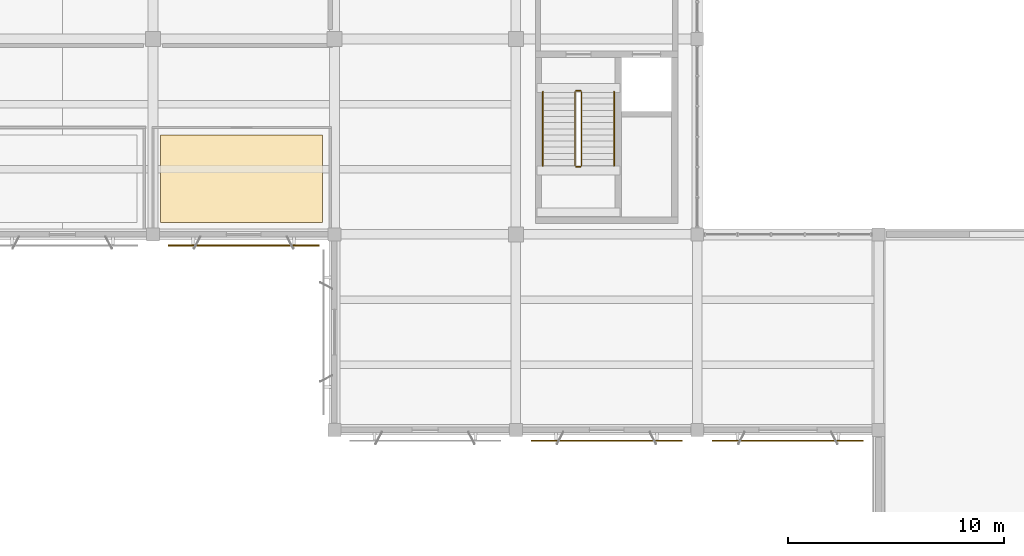
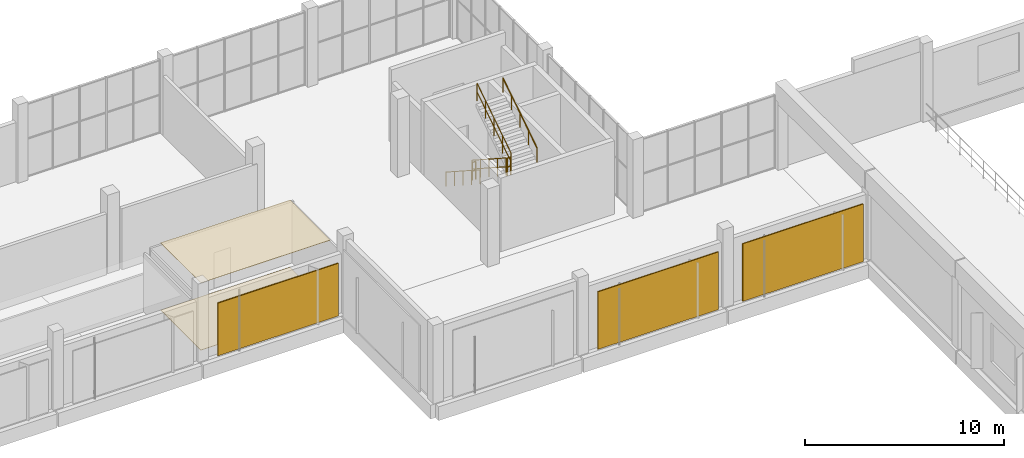
# One storey, part 78 of 80: 6 railings, 3 shading devices, 2 coverings.
"""IFC4 building model written with IfcOpenShell, lengths in metres."""

from ifc_helpers import new_model, si_unit, direction, frame, origin, origin_2d, place, context, subcontext, project, spatial, polyline, rectangle, circle, outline, extrude, material, layer, layer_set, type_object, element, save


model = new_model("IFC4")

# Units and contexts
model_context = context("Model", 3, precision=1e-05, world=origin(), true_north=direction((0.0, 1.0)))
body_context = subcontext(model_context, "Body", "Model", "MODEL_VIEW")
ifc_project = project(units=[si_unit("LENGTHUNIT", "METRE"), si_unit("AREAUNIT", "SQUARE_METRE"), si_unit("VOLUMEUNIT", "CUBIC_METRE"), si_unit("PLANEANGLEUNIT", "RADIAN"), si_unit("MASSUNIT", "GRAM", prefix="KILO")], contexts=[model_context])

# Site, building, storey
site_placement = place(None, origin())
site = spatial("IfcSite", under=ifc_project, at=site_placement, CompositionType="ELEMENT")
building_placement = place(site_placement, origin())
building = spatial("IfcBuilding", under=site, at=building_placement, Name="Khurvash Pelagic Aquarium", CompositionType="ELEMENT")
storey_placement = place(building_placement, frame((0.0, 0.0, 10.800048828125)))
storey = spatial("IfcBuildingStorey", under=building, at=storey_placement, Name="L02", CompositionType="ELEMENT", Elevation=10.800048828125)

# Coverings
ifc_material_1 = material(Name="Moisture-resistant acoustic mineral-fibre ceiling", Category="finish")
ifc_layer_1 = layer(ifc_material_1, 0.02490234375)
ifc_layer_set_1 = layer_set([ifc_layer_1], Name="Moisture-resistant acoustic mineral-fibre ceiling")
covering_type_1 = type_object("IfcCoveringType", Name="CV-CLG", PredefinedType="CEILING", material=ifc_layer_set_1)
covering_1_placement = place(storey_placement, frame((0.0, 0.0, 4.114990234375)))
element("IfcCovering", 1, at=covering_1_placement, inside=storey, type_object=covering_type_1, Name="L02 Marine Specimen Collection Storage Suspended Acoustic Ceiling", PredefinedType="CEILING", context=body_context, shape_type="SweptSolid", body=[
    extrude(outline(polyline([(100.25, 84.60009765625), (100.25, 88.64990234375), (92.75, 88.64990234375), (92.75, 84.60009765625), (100.25, 84.60009765625)])), origin(), (0.0, 0.0, 1.0), 0.02490234375),
])
ifc_material_2 = material(Name="Slip-resistant terrazzo and epoxy resin flooring", Category="finish")
ifc_layer_2 = layer(ifc_material_2, 0.02001953125)
ifc_layer_set_2 = layer_set([ifc_layer_2], Name="Slip-resistant terrazzo and epoxy resin flooring")
covering_type_2 = type_object("IfcCoveringType", Name="CV-FLR", PredefinedType="FLOORING", material=ifc_layer_set_2)
covering_2_placement = place(storey_placement, origin())
element("IfcCovering", 2, at=covering_2_placement, inside=storey, type_object=covering_type_2, Name="L02 Marine Specimen Collection Storage Terrazzo Floor Finish", PredefinedType="FLOORING", context=body_context, shape_type="SweptSolid", body=[
    extrude(outline(polyline([(100.25, 84.60009765625), (100.25, 88.64990234375), (92.75, 88.64990234375), (92.75, 84.60009765625), (100.25, 84.60009765625)])), origin(), (0.0, 0.0, 1.0), 0.02001953125),
])

# Railings
ifc_material_3 = material(Name="Powder-coated galvanised steel S355J2", Category="steel")
railing_type_1 = type_object("IfcRailingType", Name="GR-01", PredefinedType="GUARDRAIL", material=ifc_material_3)
railing_1_placement = place(storey_placement, frame((111.949951171875, 90.64990234375, 0.1845703125)))
element("IfcRailing", 3, at=railing_1_placement, inside=storey, type_object=railing_type_1, Name="L02 ST-06 stair guard 1", PredefinedType="GUARDRAIL", context=body_context, shape_type="SweptSolid", body=[
    extrude(circle(Radius=0.02392578125, at=origin_2d()), frame((0.0, 0.0, 1.076171875), z_axis=(0.0, -0.839296777647, 0.54367354086), x_axis=(1.0, 0.0, 0.0)), (0.0, 0.0, 1.0), 4.07470703125),
    extrude(circle(Radius=0.02392578125, at=origin_2d()), frame((0.0, 0.0, 0.5380859375), z_axis=(0.0, -0.839296777647, 0.54367354086), x_axis=(1.0, 0.0, 0.0)), (0.0, 0.0, 1.0), 4.07470703125),
    extrude(circle(Radius=0.02099609375, at=origin_2d()), origin(), (0.0, 0.0, 1.0), 1.052001953125),
    extrude(circle(Radius=0.02099609375, at=origin_2d()), frame((0.0, -0.85498046875, 0.5537109375)), (0.0, 0.0, 1.0), 1.052001953125),
    extrude(circle(Radius=0.02099609375, at=origin_2d()), frame((0.0, -1.7099609375, 1.107666015625)), (0.0, 0.0, 1.0), 1.052001953125),
    extrude(circle(Radius=0.02099609375, at=origin_2d()), frame((0.0, -2.56494140625, 1.66162109375)), (0.0, 0.0, 1.0), 1.052001953125),
    extrude(circle(Radius=0.02099609375, at=origin_2d()), frame((0.0, -3.419921875, 2.21533203125)), (0.0, 0.0, 1.0), 1.052001953125),
])
railing_2_placement = place(storey_placement, frame((112.0, 87.179931640625, 2.39990234375)))
element("IfcRailing", 4, at=railing_2_placement, inside=storey, type_object=railing_type_1, Name="L02 ST-06 stair guard 2", PredefinedType="GUARDRAIL", context=body_context, shape_type="SweptSolid", body=[
    extrude(circle(Radius=0.02392578125, at=origin_2d()), frame((0.0, 0.0, 1.076171875), z_axis=(1.0, 0.0, 0.0), x_axis=(0.0, 1.0, 0.0)), (0.0, 0.0, 1.0), 0.199951171875),
    extrude(circle(Radius=0.02392578125, at=origin_2d()), frame((0.0, 0.0, 0.5380859375), z_axis=(1.0, 0.0, 0.0), x_axis=(0.0, 1.0, 0.0)), (0.0, 0.0, 1.0), 0.199951171875),
    extrude(circle(Radius=0.02099609375, at=origin_2d()), origin(), (0.0, 0.0, 1.0), 1.052001953125),
    extrude(circle(Radius=0.02099609375, at=origin_2d()), frame((0.199951171875, 0.0, 0.0)), (0.0, 0.0, 1.0), 1.052001953125),
])
railing_3_placement = place(storey_placement, frame((112.25, 87.22998046875, 2.58447265625)))
element("IfcRailing", 5, at=railing_3_placement, inside=storey, type_object=railing_type_1, Name="L02 ST-06 stair guard 3", PredefinedType="GUARDRAIL", context=body_context, shape_type="SweptSolid", body=[
    extrude(circle(Radius=0.02392578125, at=origin_2d()), frame((0.0, 0.0, 1.076171875), z_axis=(0.0, 0.839269437812, 0.543715744442), x_axis=(-1.0, 0.0, 0.0)), (0.0, 0.0, 1.0), 4.074951171875),
    extrude(circle(Radius=0.02392578125, at=origin_2d()), frame((0.0, 0.0, 0.5380859375), z_axis=(0.0, 0.839269437812, 0.543715744442), x_axis=(-1.0, 0.0, 0.0)), (0.0, 0.0, 1.0), 4.074951171875),
    extrude(circle(Radius=0.02099609375, at=origin_2d()), origin(), (0.0, 0.0, 1.0), 1.052001953125),
    extrude(circle(Radius=0.02099609375, at=origin_2d()), frame((0.0, 0.85498046875, 0.553955078125)), (0.0, 0.0, 1.0), 1.052001953125),
    extrude(circle(Radius=0.02099609375, at=origin_2d()), frame((0.0, 1.7099609375, 1.10791015625)), (0.0, 0.0, 1.0), 1.052001953125),
    extrude(circle(Radius=0.02099609375, at=origin_2d()), frame((0.0, 2.56494140625, 1.66162109375)), (0.0, 0.0, 1.0), 1.052001953125),
    extrude(circle(Radius=0.02099609375, at=origin_2d()), frame((0.0, 3.419921875, 2.215576171875)), (0.0, 0.0, 1.0), 1.052001953125),
])
railing_4_placement = place(storey_placement, frame((112.0, 90.699951171875, 0.0)))
element("IfcRailing", 6, at=railing_4_placement, inside=storey, type_object=railing_type_1, Name="L02 ST-06 stair guard 4", PredefinedType="GUARDRAIL", context=body_context, shape_type="SweptSolid", body=[
    extrude(circle(Radius=0.02392578125, at=origin_2d()), frame((0.0, 0.0, 1.076171875), z_axis=(1.0, 0.0, 0.0), x_axis=(0.0, 1.0, 0.0)), (0.0, 0.0, 1.0), 0.199951171875),
    extrude(circle(Radius=0.02392578125, at=origin_2d()), frame((0.0, 0.0, 0.5380859375), z_axis=(1.0, 0.0, 0.0), x_axis=(0.0, 1.0, 0.0)), (0.0, 0.0, 1.0), 0.199951171875),
    extrude(circle(Radius=0.02099609375, at=origin_2d()), origin(), (0.0, 0.0, 1.0), 1.052001953125),
    extrude(circle(Radius=0.02099609375, at=origin_2d()), frame((0.199951171875, 0.0, 0.0)), (0.0, 0.0, 1.0), 1.052001953125),
])
ifc_material_4 = material(Name="Brushed stainless steel 316", Category="steel")
railing_type_2 = type_object("IfcRailingType", Name="HR-01", PredefinedType="HANDRAIL", material=ifc_material_4)
railing_5_placement = place(storey_placement, frame((110.449951171875, 90.64990234375, 0.1845703125)))
element("IfcRailing", 7, at=railing_5_placement, inside=storey, type_object=railing_type_2, Name="L02 ST-06 stair handrail 1", PredefinedType="HANDRAIL", context=body_context, shape_type="SweptSolid", body=[
    extrude(circle(Radius=0.02392578125, at=origin_2d()), frame((0.0, 0.0, 0.8759765625), z_axis=(0.0, -0.839296777647, 0.54367354086), x_axis=(1.0, 0.0, 0.0)), (0.0, 0.0, 1.0), 4.07470703125),
    extrude(circle(Radius=0.02099609375, at=origin_2d()), origin(), (0.0, 0.0, 1.0), 0.851806640625),
    extrude(circle(Radius=0.02099609375, at=origin_2d()), frame((0.0, -0.85498046875, 0.5537109375)), (0.0, 0.0, 1.0), 0.851806640625),
    extrude(circle(Radius=0.02099609375, at=origin_2d()), frame((0.0, -1.7099609375, 1.107666015625)), (0.0, 0.0, 1.0), 0.851806640625),
    extrude(circle(Radius=0.02099609375, at=origin_2d()), frame((0.0, -2.56494140625, 1.66162109375)), (0.0, 0.0, 1.0), 0.851806640625),
    extrude(circle(Radius=0.02099609375, at=origin_2d()), frame((0.0, -3.419921875, 2.21533203125)), (0.0, 0.0, 1.0), 0.851806640625),
])
railing_6_placement = place(storey_placement, frame((113.75, 87.22998046875, 2.58447265625)))
element("IfcRailing", 8, at=railing_6_placement, inside=storey, type_object=railing_type_2, Name="L02 ST-06 stair handrail 2", PredefinedType="HANDRAIL", context=body_context, shape_type="SweptSolid", body=[
    extrude(circle(Radius=0.02392578125, at=origin_2d()), frame((0.0, 0.0, 0.8759765625), z_axis=(0.0, 0.839269437812, 0.543715744442), x_axis=(-1.0, 0.0, 0.0)), (0.0, 0.0, 1.0), 4.074951171875),
    extrude(circle(Radius=0.02099609375, at=origin_2d()), origin(), (0.0, 0.0, 1.0), 0.851806640625),
    extrude(circle(Radius=0.02099609375, at=origin_2d()), frame((0.0, 0.85498046875, 0.553955078125)), (0.0, 0.0, 1.0), 0.851806640625),
    extrude(circle(Radius=0.02099609375, at=origin_2d()), frame((0.0, 1.7099609375, 1.10791015625)), (0.0, 0.0, 1.0), 0.851806640625),
    extrude(circle(Radius=0.02099609375, at=origin_2d()), frame((0.0, 2.56494140625, 1.66162109375)), (0.0, 0.0, 1.0), 0.851806640625),
    extrude(circle(Radius=0.02099609375, at=origin_2d()), frame((0.0, 3.419921875, 2.215576171875)), (0.0, 0.0, 1.0), 0.851806640625),
])

# Shading devices
ifc_material_5 = material(Name="Perforated anodised aluminium AW-5005", Category="aluminium")
ifc_layer_3 = layer(ifc_material_5, 0.06005859375)
ifc_layer_set_3 = layer_set([ifc_layer_3], Name="Perforated anodised aluminium AW-5005")
shading_device_type = type_object("IfcShadingDeviceType", Name="SH-JAL", PredefinedType="JALOUSIE", material=ifc_layer_set_3)
shading_device_placement = place(storey_placement, frame((96.60009765625, 83.5400390625, 0.199951171875), z_axis=(0.0, 0.0, 1.0), x_axis=(1.0, 0.0, 0.0)))
element("IfcShadingDevice", 9, at=shading_device_placement, inside=storey, type_object=shading_device_type, Name="L02 Perforated Aluminium Jali Screen SH-JAL 0020", PredefinedType="JALOUSIE", context=body_context, shape_type="SweptSolid", body=[
    extrude(rectangle(XDim=6.989990234375, YDim=0.06005859375, at=origin_2d()), origin(), (0.0, 0.0, 1.0), 3.22998046875),
])
for number, where, z_axis, x_axis, name in (
    (10, (113.39990234375, 74.489990234375, 0.19921875), (0.0, 0.0, 1.0), (1.0, 0.0, 0.0), "L02 Perforated Aluminium Jali Screen SH-JAL 0023"),
    (11, (121.800048828125, 74.489990234375, 0.19921875), (0.0, 0.0, 1.0), (1.0, 0.0, 0.0), "L02 Perforated Aluminium Jali Screen SH-JAL 0024"),
):
    element("IfcShadingDevice", number, at=place(storey_placement, frame(where, z_axis=z_axis, x_axis=x_axis)), inside=storey, type_object=shading_device_type, Name=name, PredefinedType="JALOUSIE", context=body_context, shape_type="SweptSolid", body=[
        extrude(rectangle(XDim=6.989990234375, YDim=0.06005859375, at=origin_2d()), origin(), (0.0, 0.0, 1.0), 3.531005859375),
    ])

save(model, "model.ifc")
